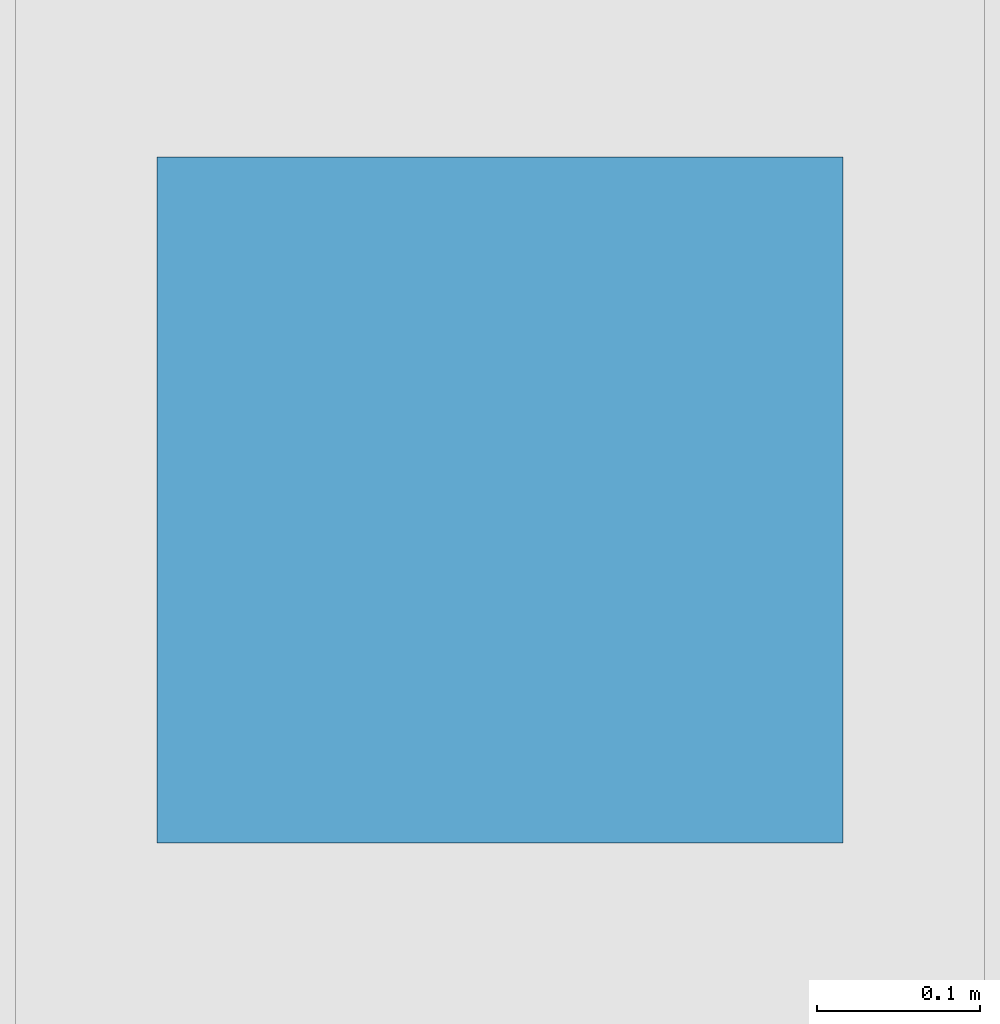
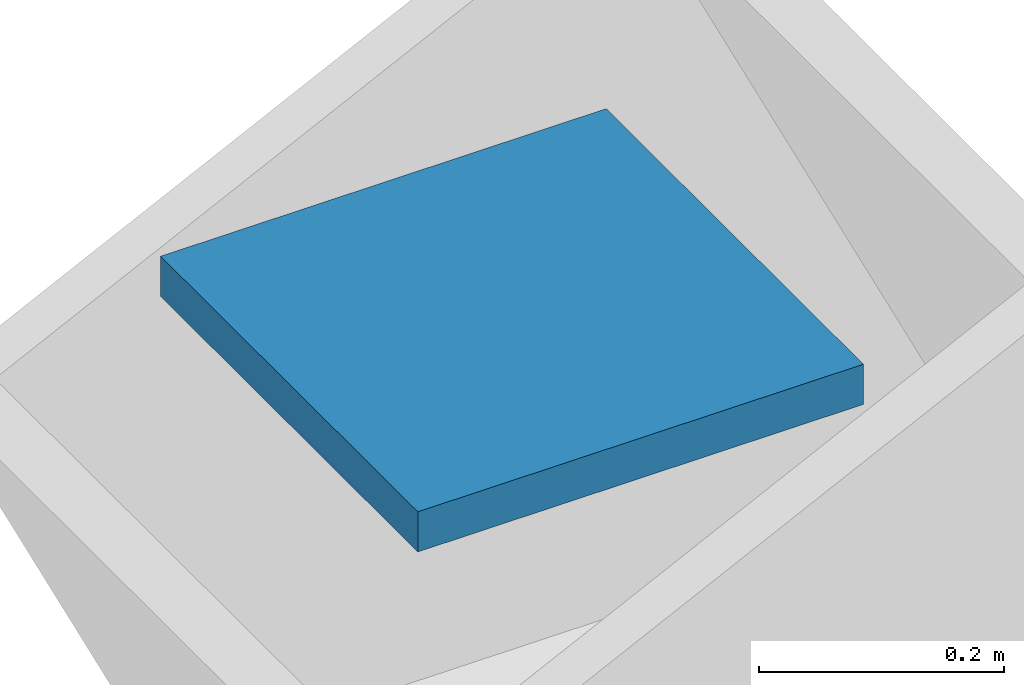
# One storey, part 8 of 9: 1 discrete accessory.
"""IFC4 building model written with IfcOpenShell, lengths in metres."""

from ifc_helpers import new_model, si_unit, direction, frame, origin, origin_2d, place, context, subcontext, project, spatial, rectangle, extrude, material, type_object, element, save


model = new_model("IFC4")

# Units and contexts
model_context = context("Model", 3, precision=1e-05, world=origin(), true_north=direction((0.0, 1.0)))
body_context = subcontext(model_context, "Body", "Model", "MODEL_VIEW")
ifc_project = project(units=[si_unit("LENGTHUNIT", "METRE"), si_unit("AREAUNIT", "SQUARE_METRE"), si_unit("VOLUMEUNIT", "CUBIC_METRE"), si_unit("PLANEANGLEUNIT", "RADIAN"), si_unit("MASSUNIT", "GRAM", prefix="KILO")], contexts=[model_context])

# Site, building, storey
site_placement = place(None, origin())
site = spatial("IfcSite", under=ifc_project, at=site_placement, CompositionType="ELEMENT")
building_placement = place(site_placement, origin())
building = spatial("IfcBuilding", under=site, at=building_placement, Name="Ventersveld Concourse Tower", CompositionType="ELEMENT")
storey_placement = place(building_placement, frame((0.0, 0.0, 45.199951171875)))
storey = spatial("IfcBuildingStorey", under=building, at=storey_placement, Name="L10", CompositionType="ELEMENT", Elevation=45.199951171875)

# Discrete accessory
ifc_material = material(Name="Structural steel S355J2", Category="steel")
discrete_accessory_type = type_object("IfcDiscreteAccessoryType", Name="CONN-BRACE-ECP1", PredefinedType="BRACKET", material=ifc_material)
discrete_accessory_placement = place(storey_placement, frame((19.375, 46.1201171875, 3.580078125), z_axis=(0.0, 0.0, 1.0), x_axis=(1.0, 0.0, 0.0)))
element("IfcDiscreteAccessory", 1, at=discrete_accessory_placement, inside=storey, type_object=discrete_accessory_type, Name="L10 Steel Brace End Connection Plate ECP1-0217", PredefinedType="BRACKET", context=body_context, shape_type="SweptSolid", body=[
    extrude(rectangle(XDim=0.419921875, YDim=0.419921875, at=origin_2d()), origin(), (0.0, 0.0, 1.0), 0.0400390625),
])

save(model, "model.ifc")
